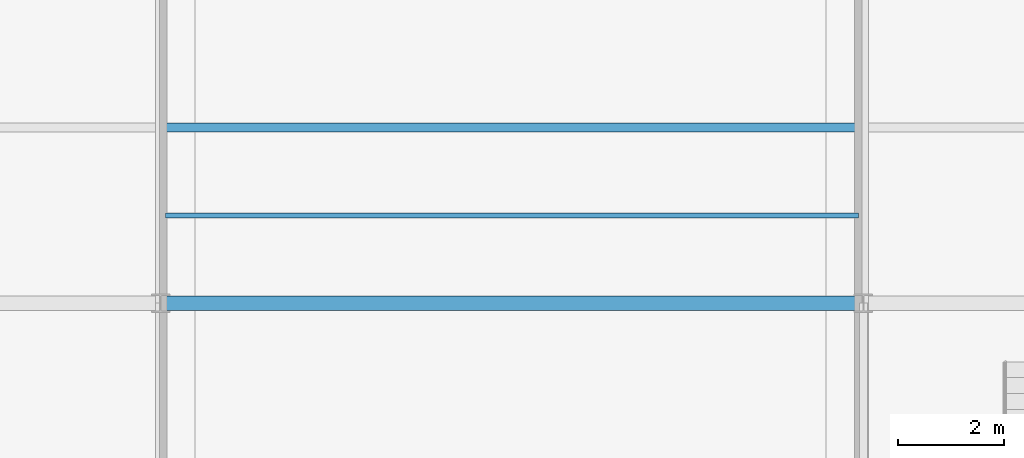
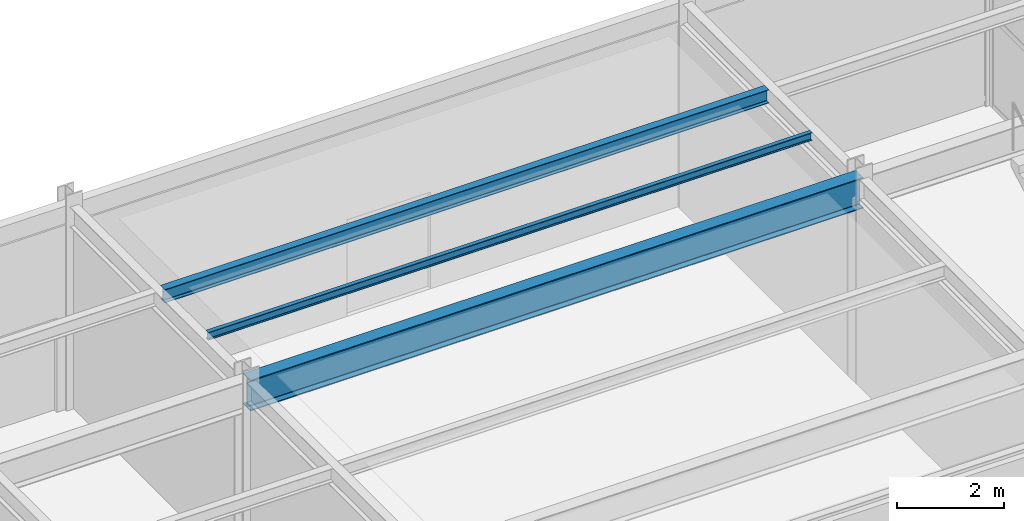
# One storey, part 71 of 144: 3 beams.
"""IFC4 building model written with IfcOpenShell, lengths in metres."""

from ifc_helpers import new_model, si_unit, direction, frame, origin, origin_2d, place, context, subcontext, project, spatial, i_section, extrude, material, material_profile, profile_set, type_object, element, save


model = new_model("IFC4")

# Units and contexts
model_context = context("Model", 3, precision=1e-05, world=origin(), true_north=direction((0.0, 1.0)))
body_context = subcontext(model_context, "Body", "Model", "MODEL_VIEW")
ifc_project = project(units=[si_unit("LENGTHUNIT", "METRE"), si_unit("AREAUNIT", "SQUARE_METRE"), si_unit("VOLUMEUNIT", "CUBIC_METRE"), si_unit("PLANEANGLEUNIT", "RADIAN"), si_unit("MASSUNIT", "GRAM", prefix="KILO")], contexts=[model_context])

# Site, building, storey
site_placement = place(None, origin())
site = spatial("IfcSite", under=ifc_project, at=site_placement, CompositionType="ELEMENT")
building_placement = place(site_placement, origin())
building = spatial("IfcBuilding", under=site, at=building_placement, Name="Karori Crest Natural Sciences Institute", CompositionType="ELEMENT")
storey_placement = place(building_placement, origin())
storey = spatial("IfcBuildingStorey", under=building, at=storey_placement, Name="L00", CompositionType="ELEMENT", Elevation=0.0)

# Beams
ifc_material = material(Name="Structural steel AS/NZS 3679.1 Grade 350", Category="steel")
ifc_material_profile_1 = material_profile(ifc_material, i_section(OverallWidth=0.27490234375, OverallDepth=0.699951171875, WebThickness=0.010009765625, FlangeThickness=0.02001953125, FilletRadius=0.013916015625, at=origin_2d()), Name="700WB150")
ifc_profile_set_1 = profile_set([ifc_material_profile_1], Name="Structural steel AS/NZS 3679.1 Grade 350")
beam_type_1 = type_object("IfcBeamType", Name="BT-03", PredefinedType="BEAM", material=ifc_profile_set_1)
beam_1_placement = place(storey_placement, frame((7.39990234375, 66.800048828125, 4.27001953125), z_axis=(1.0, 0.0, 0.0), x_axis=(0.0, 1.0, 0.0)))
element("IfcBeam", 1, at=beam_1_placement, inside=storey, type_object=beam_type_1, Name="Beam B-0955", PredefinedType="BEAM", context=body_context, shape_type="SweptSolid", body=[
    extrude(i_section(OverallWidth=0.27490234375, OverallDepth=0.699951171875, WebThickness=0.010009765625, FlangeThickness=0.02001953125, FilletRadius=0.013916015625, at=origin_2d()), origin(), (0.0, 0.0, 1.0), 13.2001953125),
])
ifc_material_profile_2 = material_profile(ifc_material, i_section(OverallWidth=0.166015625, OverallDepth=0.306884765625, WebThickness=0.006591796875, FlangeThickness=0.01171875, FilletRadius=0.010986328125, at=origin_2d()), Name="310UB46.2")
ifc_profile_set_2 = profile_set([ifc_material_profile_2], Name="Structural steel AS/NZS 3679.1 Grade 350")
beam_type_2 = type_object("IfcBeamType", Name="BT-09", PredefinedType="BEAM", material=ifc_profile_set_2)
beam_2_placement = place(storey_placement, frame((7.49560546875, 70.10009765625, 4.466552734375), z_axis=(1.0, 0.0, 0.0), x_axis=(0.0, 1.0, 0.0)))
element("IfcBeam", 2, at=beam_2_placement, inside=storey, type_object=beam_type_2, Name="Beam B-1002", PredefinedType="BEAM", context=body_context, shape_type="SweptSolid", body=[
    extrude(i_section(OverallWidth=0.166015625, OverallDepth=0.306884765625, WebThickness=0.006591796875, FlangeThickness=0.01171875, FilletRadius=0.010986328125, at=origin_2d()), origin(), (0.0, 0.0, 1.0), 13.0087890625),
])
ifc_material_profile_3 = material_profile(ifc_material, i_section(OverallWidth=0.090087890625, OverallDepth=0.178955078125, WebThickness=0.006103515625, FlangeThickness=0.010009765625, FilletRadius=0.009033203125, at=origin_2d()), Name="180UB22.2")
ifc_profile_set_3 = profile_set([ifc_material_profile_3], Name="Structural steel AS/NZS 3679.1 Grade 350")
beam_type_3 = type_object("IfcBeamType", Name="BT-24", PredefinedType="LINTEL", material=ifc_profile_set_3)
beam_3_placement = place(storey_placement, frame((7.49560546875, 68.449951171875, 4.530517578125), z_axis=(1.0, 0.0, 0.0), x_axis=(0.0, 1.0, 0.0)))
element("IfcBeam", 3, at=beam_3_placement, inside=storey, type_object=beam_type_3, Name="Beam B-1003", PredefinedType="LINTEL", context=body_context, shape_type="SweptSolid", body=[
    extrude(i_section(OverallWidth=0.090087890625, OverallDepth=0.178955078125, WebThickness=0.006103515625, FlangeThickness=0.010009765625, FilletRadius=0.009033203125, at=origin_2d()), origin(), (0.0, 0.0, 1.0), 13.0087890625),
])

save(model, "model.ifc")
